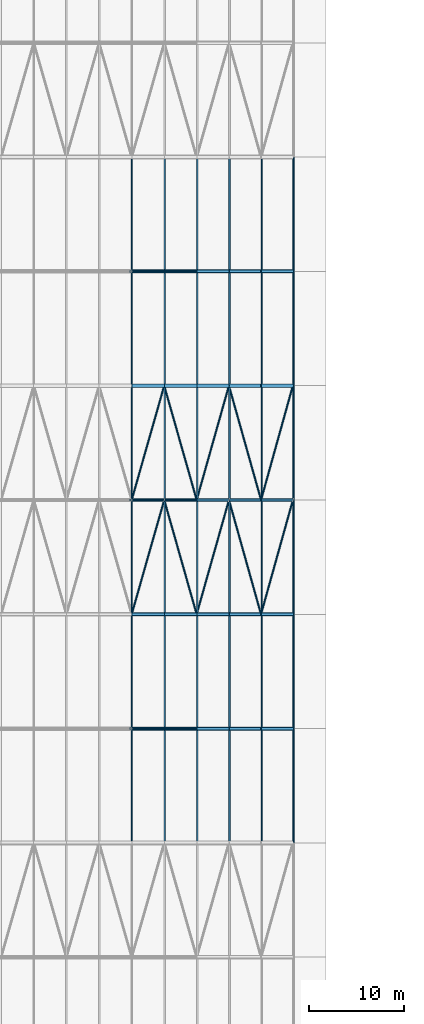
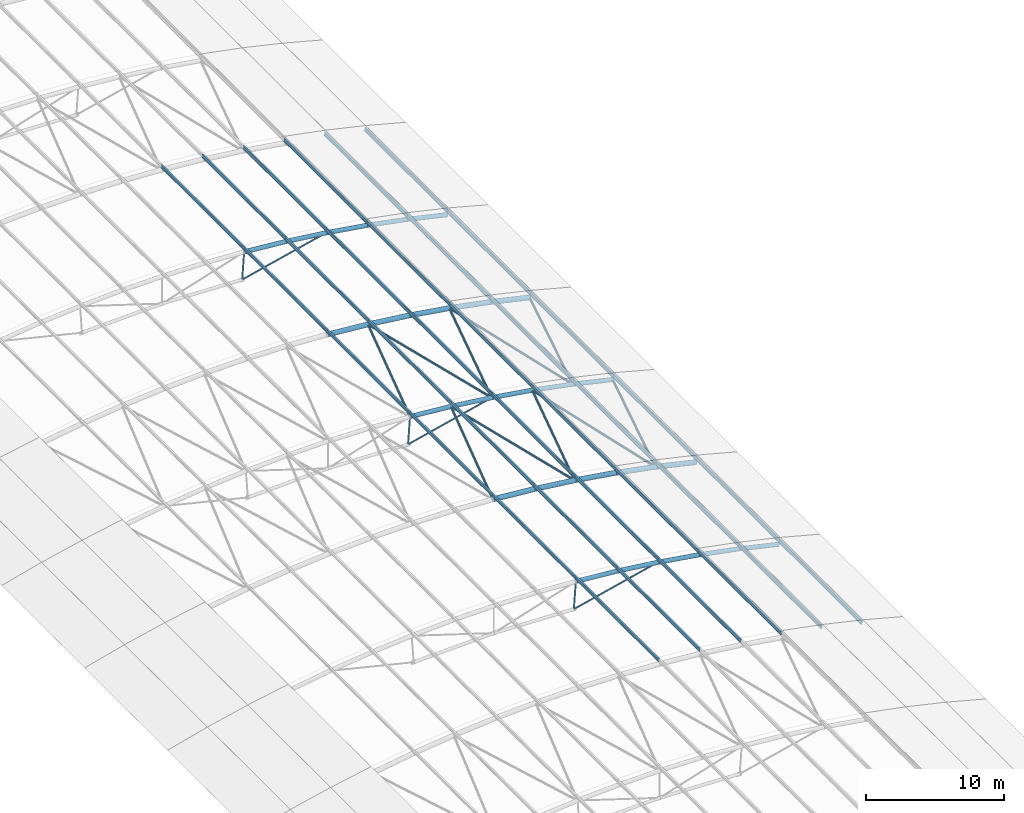
# One storey, part 16 of 91: 77 members.
"""IFC4 building model written with IfcOpenShell, lengths in metres."""

from ifc_helpers import new_model, si_unit, direction, frame, origin, origin_2d, place, context, subcontext, project, spatial, hollow_circle, i_section, extrude, material, material_profile, profile_set, type_object, element, save


model = new_model("IFC4")

# Units and contexts
model_context = context("Model", 3, precision=1e-05, world=origin(), true_north=direction((0.0, 1.0)))
body_context = subcontext(model_context, "Body", "Model", "MODEL_VIEW")
ifc_project = project(units=[si_unit("LENGTHUNIT", "METRE"), si_unit("AREAUNIT", "SQUARE_METRE"), si_unit("VOLUMEUNIT", "CUBIC_METRE"), si_unit("PLANEANGLEUNIT", "RADIAN"), si_unit("MASSUNIT", "GRAM", prefix="KILO")], contexts=[model_context])

# Site, building, storey
site_placement = place(None, origin())
site = spatial("IfcSite", under=ifc_project, at=site_placement, CompositionType="ELEMENT")
building_placement = place(site_placement, origin())
building = spatial("IfcBuilding", under=site, at=building_placement, Name="Ravi Spectrum Wholesale Market", CompositionType="ELEMENT")
storey_placement = place(building_placement, frame((0.0, 0.0, 16.199951171875)))
storey = spatial("IfcBuildingStorey", under=building, at=storey_placement, Name="ROOF PLANT LEVEL", CompositionType="ELEMENT", Elevation=16.199951171875)

# Members
ifc_material_1 = material(Name="Steel S355", Category="steel")
ifc_material_profile_1 = material_profile(ifc_material_1, hollow_circle(Radius=0.06982421875, WallThickness=0.0048828125, at=origin_2d()))
ifc_profile_set_1 = profile_set([ifc_material_profile_1], Name="Steel S355")
member_type_1 = type_object("IfcMemberType", Name="CHS 139.7x5 brace", PredefinedType="BRACE", material=ifc_profile_set_1)
for number, where, z_axis, x_axis, name in (
    (1, (83.681884765625, 90.0, 2.079833984375), (-0.97214359809, 0.0, -0.234386059083), (0.0, -1.0, 0.0), "H1-MB-L02-477"),
    (2, (83.681884765625, 114.0, 2.079833984375), (-0.97214359809, 0.0, -0.234386059083), (0.0, -1.0, 0.0), "H1-MB-L02-639"),
    (3, (83.681884765625, 138.0, 2.079833984375), (-0.97214359809, 0.0, -0.234386059083), (0.0, -1.0, 0.0), "H1-MB-L02-801"),
):
    element("IfcMember", number, at=place(storey_placement, frame(where, z_axis=z_axis, x_axis=x_axis)), inside=storey, type_object=member_type_1, Name=name, PredefinedType="BRACE", context=body_context, shape_type="SweptSolid", body=[
        extrude(hollow_circle(Radius=0.06982421875, WallThickness=0.0048828125, at=origin_2d()), origin(), (0.0, 0.0, 1.0), 7.190185546875),
    ])
ifc_material_2 = material(Name="Steel S355", Category="steel")
ifc_material_profile_2 = material_profile(ifc_material_2, hollow_circle(Radius=0.06982421875, WallThickness=0.0048828125, at=origin_2d()))
ifc_profile_set_2 = profile_set([ifc_material_profile_2], Name="Steel S355")
member_type_2 = type_object("IfcMemberType", Name="CHS 139.7x5 post", PredefinedType="POST", material=ifc_profile_set_2)
for number, where, z_axis, x_axis, name in (
    (4, (76.857177734375, 90.0, 2.788818359375), (-0.068868423963, 0.0, -0.997625751563), (0.0, -1.0, 0.0), "H1-MB-L02-466"),
    (5, (76.857177734375, 114.0, 2.788818359375), (-0.068868423963, 0.0, -0.997625751563), (0.0, -1.0, 0.0), "H1-MB-L02-628"),
    (6, (76.857177734375, 138.0, 2.788818359375), (-0.068868423963, 0.0, -0.997625751563), (0.0, -1.0, 0.0), "H1-MB-L02-790"),
):
    element("IfcMember", number, at=place(storey_placement, frame(where, z_axis=z_axis, x_axis=x_axis)), inside=storey, type_object=member_type_2, Name=name, PredefinedType="POST", context=body_context, shape_type="SweptSolid", body=[
        extrude(hollow_circle(Radius=0.06982421875, WallThickness=0.0048828125, at=origin_2d()), origin(), (0.0, 0.0, 1.0), 2.39990234375),
    ])
ifc_material_3 = material(Name="Steel S355", Category="steel")
ifc_material_profile_3 = material_profile(ifc_material_3, hollow_circle(Radius=0.096923828125, WallThickness=0.00634765625, at=origin_2d()))
ifc_profile_set_3 = profile_set([ifc_material_profile_3], Name="Steel S355")
member_type_3 = type_object("IfcMemberType", Name="CHS 193.7x6.3 brace", PredefinedType="BRACE", material=ifc_profile_set_3)
member_1_placement = place(storey_placement, frame((76.85546875, 102.0, 2.763427734375), z_axis=(0.274034013599, 0.9614761822, -0.021654340285), x_axis=(-0.961701684624, 0.27409828491, 0.0)))
element("IfcMember", 7, at=member_1_placement, inside=storey, type_object=member_type_3, Name="H1-MB-L02-1646", PredefinedType="BRACE", context=body_context, shape_type="SweptSolid", body=[
    extrude(hollow_circle(Radius=0.096923828125, WallThickness=0.00634765625, at=origin_2d()), origin(), (0.0, 0.0, 1.0), 12.480712890625),
])
member_2_placement = place(storey_placement, frame((80.275634765625, 114.0, 2.4931640625), z_axis=(0.272644331553, -0.961473251867, -0.035131957201), x_axis=(0.962067152996, 0.272812743702, 0.0)))
element("IfcMember", 8, at=member_2_placement, inside=storey, type_object=member_type_3, Name="H1-MB-L02-1647", PredefinedType="BRACE", context=body_context, shape_type="SweptSolid", body=[
    extrude(hollow_circle(Radius=0.096923828125, WallThickness=0.00634765625, at=origin_2d()), origin(), (0.0, 0.0, 1.0), 12.48095703125),
])
member_3_placement = place(storey_placement, frame((83.678466796875, 102.0, 2.0546875), z_axis=(0.271882814956, 0.961478100635, -0.040491936611), x_axis=(-0.962267289503, 0.272105978532, 0.0)))
element("IfcMember", 9, at=member_3_placement, inside=storey, type_object=member_type_3, Name="H1-MB-L02-1648", PredefinedType="BRACE", context=body_context, shape_type="SweptSolid", body=[
    extrude(hollow_circle(Radius=0.096923828125, WallThickness=0.00634765625, at=origin_2d()), origin(), (0.0, 0.0, 1.0), 12.480712890625),
])
for number, where, z_axis, x_axis, name in (
    (10, (87.07177734375, 114.0, 1.54931640625), (0.269573425524, -0.961473986747, -0.053832527904), (0.962870169495, 0.269964880489, 0.0), "H1-MB-L02-1649"),
    (11, (90.436279296875, 102.0, 0.87744140625), (0.268458266113, 0.961473382103, -0.059153147532), (-0.963159952785, 0.26892918278, 0.0), "H1-MB-L02-1650"),
    (12, (76.857177734375, 114.0, 2.788818359375), (0.273700155863, 0.961471559533, -0.025703402287), (-0.961789322244, 0.273790612729, 0.0), "H1-MB-L02-1670"),
):
    element("IfcMember", number, at=place(storey_placement, frame(where, z_axis=z_axis, x_axis=x_axis)), inside=storey, type_object=member_type_3, Name=name, PredefinedType="BRACE", context=body_context, shape_type="SweptSolid", body=[
        extrude(hollow_circle(Radius=0.096923828125, WallThickness=0.00634765625, at=origin_2d()), origin(), (0.0, 0.0, 1.0), 12.48095703125),
    ])
for number, where, z_axis, x_axis, name in (
    (13, (80.273193359375, 126.0, 2.468017578125), (0.273115259603, -0.961478387049, -0.0311025113), (0.961943775579, 0.273247456759, 0.0), "H1-MB-L02-1671"),
    (14, (83.681884765625, 114.0, 2.079833984375), (0.271256737802, 0.961477693548, -0.044501988786), (-0.962431178207, 0.271525739506, 0.0), "H1-MB-L02-1672"),
    (15, (87.0673828125, 126.0, 1.5244140625), (0.270336560063, -0.961474862535, -0.049842080683), (0.962671356068, 0.270672976499, 0.0), "H1-MB-L02-1673"),
):
    element("IfcMember", number, at=place(storey_placement, frame(where, z_axis=z_axis, x_axis=x_axis)), inside=storey, type_object=member_type_3, Name=name, PredefinedType="BRACE", context=body_context, shape_type="SweptSolid", body=[
        extrude(hollow_circle(Radius=0.096923828125, WallThickness=0.00634765625, at=origin_2d()), origin(), (0.0, 0.0, 1.0), 12.480712890625),
    ])
member_4_placement = place(storey_placement, frame((90.44140625, 114.0, 0.90234375), z_axis=(0.267558016602, 0.961471825707, -0.063123974234), x_axis=(-0.963393127067, 0.268092675619, 0.0)))
element("IfcMember", 16, at=member_4_placement, inside=storey, type_object=member_type_3, Name="H1-MB-L02-1674", PredefinedType="BRACE", context=body_context, shape_type="SweptSolid", body=[
    extrude(hollow_circle(Radius=0.096923828125, WallThickness=0.00634765625, at=origin_2d()), origin(), (0.0, 0.0, 1.0), 12.48095703125),
])
ifc_material_4 = material(Name="Steel S355", Category="steel")
ifc_material_profile_4 = material_profile(ifc_material_4, hollow_circle(Radius=0.177734375, WallThickness=0.012451171875, at=origin_2d()))
ifc_profile_set_4 = profile_set([ifc_material_profile_4], Name="Steel S355")
member_type_4 = type_object("IfcMemberType", Name="CHS 355.6x12.5 chord", PredefinedType="CHORD", material=ifc_profile_set_4)
for number, where, z_axis, x_axis, name in (
    (17, (76.857177734375, 90.0, 2.788818359375), (0.996280795756, 0.0, -0.086165979407), (0.0, 1.0, 0.0), "H1-MB-L02-438"),
    (18, (80.275634765625, 90.0, 2.4931640625), (0.992718062095, 0.0, -0.120460986176), (0.0, 1.0, 0.0), "H1-MB-L02-439"),
    (19, (83.681884765625, 90.0, 2.079833984375), (0.987974358509, 0.0, -0.154617809221), (0.0, 1.0, 0.0), "H1-MB-L02-440"),
    (20, (87.07177734375, 90.0, 1.54931640625), (0.982062230733, 0.0, -0.188557086759), (0.0, 1.0, 0.0), "H1-MB-L02-441"),
):
    element("IfcMember", number, at=place(storey_placement, frame(where, z_axis=z_axis, x_axis=x_axis)), inside=storey, type_object=member_type_4, Name=name, PredefinedType="CHORD", context=body_context, shape_type="SweptSolid", body=[
        extrude(hollow_circle(Radius=0.177734375, WallThickness=0.012451171875, at=origin_2d()), origin(), (0.0, 0.0, 1.0), 3.43115234375),
    ])
member_5_placement = place(storey_placement, frame((90.44140625, 90.0, 0.90234375), z_axis=(0.974952916083, 0.0, -0.222411356322), x_axis=(0.0, 1.0, 0.0)))
element("IfcMember", 21, at=member_5_placement, inside=storey, type_object=member_type_4, Name="H1-MB-L02-442", PredefinedType="CHORD", context=body_context, shape_type="SweptSolid", body=[
    extrude(hollow_circle(Radius=0.177734375, WallThickness=0.012451171875, at=origin_2d()), origin(), (0.0, 0.0, 1.0), 3.431396484375),
])
for number, where, z_axis, x_axis, name in (
    (22, (76.857177734375, 114.0, 2.788818359375), (0.996280795756, 0.0, -0.086165979407), (0.0, 1.0, 0.0), "H1-MB-L02-600"),
    (23, (80.275634765625, 114.0, 2.4931640625), (0.992718062095, 0.0, -0.120460986176), (0.0, 1.0, 0.0), "H1-MB-L02-601"),
    (24, (83.681884765625, 114.0, 2.079833984375), (0.987974358509, 0.0, -0.154617809221), (0.0, 1.0, 0.0), "H1-MB-L02-602"),
    (25, (87.07177734375, 114.0, 1.54931640625), (0.982062230733, 0.0, -0.188557086759), (0.0, 1.0, 0.0), "H1-MB-L02-603"),
):
    element("IfcMember", number, at=place(storey_placement, frame(where, z_axis=z_axis, x_axis=x_axis)), inside=storey, type_object=member_type_4, Name=name, PredefinedType="CHORD", context=body_context, shape_type="SweptSolid", body=[
        extrude(hollow_circle(Radius=0.177734375, WallThickness=0.012451171875, at=origin_2d()), origin(), (0.0, 0.0, 1.0), 3.43115234375),
    ])
member_6_placement = place(storey_placement, frame((90.44140625, 114.0, 0.90234375), z_axis=(0.974952916083, 0.0, -0.222411356322), x_axis=(0.0, 1.0, 0.0)))
element("IfcMember", 26, at=member_6_placement, inside=storey, type_object=member_type_4, Name="H1-MB-L02-604", PredefinedType="CHORD", context=body_context, shape_type="SweptSolid", body=[
    extrude(hollow_circle(Radius=0.177734375, WallThickness=0.012451171875, at=origin_2d()), origin(), (0.0, 0.0, 1.0), 3.431396484375),
])
for number, where, z_axis, x_axis, name in (
    (27, (76.857177734375, 138.0, 2.788818359375), (0.996280795756, 0.0, -0.086165979407), (0.0, 1.0, 0.0), "H1-MB-L02-762"),
    (28, (80.275634765625, 138.0, 2.4931640625), (0.992718062095, 0.0, -0.120460986176), (0.0, 1.0, 0.0), "H1-MB-L02-763"),
    (29, (83.681884765625, 138.0, 2.079833984375), (0.987974358509, 0.0, -0.154617809221), (0.0, 1.0, 0.0), "H1-MB-L02-764"),
    (30, (87.07177734375, 138.0, 1.54931640625), (0.982062230733, 0.0, -0.188557086759), (0.0, 1.0, 0.0), "H1-MB-L02-765"),
):
    element("IfcMember", number, at=place(storey_placement, frame(where, z_axis=z_axis, x_axis=x_axis)), inside=storey, type_object=member_type_4, Name=name, PredefinedType="CHORD", context=body_context, shape_type="SweptSolid", body=[
        extrude(hollow_circle(Radius=0.177734375, WallThickness=0.012451171875, at=origin_2d()), origin(), (0.0, 0.0, 1.0), 3.43115234375),
    ])
member_7_placement = place(storey_placement, frame((90.44140625, 138.0, 0.90234375), z_axis=(0.974952916083, 0.0, -0.222411356322), x_axis=(0.0, 1.0, 0.0)))
element("IfcMember", 31, at=member_7_placement, inside=storey, type_object=member_type_4, Name="H1-MB-L02-766", PredefinedType="CHORD", context=body_context, shape_type="SweptSolid", body=[
    extrude(hollow_circle(Radius=0.177734375, WallThickness=0.012451171875, at=origin_2d()), origin(), (0.0, 0.0, 1.0), 3.431396484375),
])
ifc_material_5 = material(Name="Steel S355", Category="steel")
ifc_material_profile_5 = material_profile(ifc_material_5, hollow_circle(Radius=0.203125, WallThickness=0.01611328125, at=origin_2d()))
ifc_profile_set_5 = profile_set([ifc_material_profile_5], Name="Steel S355")
member_type_5 = type_object("IfcMemberType", Name="CHS 406.4x16 chord", PredefinedType="CHORD", material=ifc_profile_set_5)
member_8_placement = place(storey_placement, frame((76.85546875, 102.0, 2.763427734375), z_axis=(0.99628531868, 0.0, -0.086113667805), x_axis=(0.0, 1.0, 0.0)))
element("IfcMember", 32, at=member_8_placement, inside=storey, type_object=member_type_5, Name="H1-MB-L02-501", PredefinedType="CHORD", context=body_context, shape_type="SweptSolid", body=[
    extrude(hollow_circle(Radius=0.203125, WallThickness=0.01611328125, at=origin_2d()), origin(), (0.0, 0.0, 1.0), 3.430419921875),
])
for number, where, z_axis, x_axis, name in (
    (33, (80.273193359375, 102.0, 2.468017578125), (0.992713930418, 0.0, -0.120495030413), (0.0, 1.0, 0.0), "H1-MB-L02-502"),
    (34, (83.678466796875, 102.0, 2.0546875), (0.987978424514, 0.0, -0.154591826096), (0.0, 1.0, 0.0), "H1-MB-L02-503"),
):
    element("IfcMember", number, at=place(storey_placement, frame(where, z_axis=z_axis, x_axis=x_axis)), inside=storey, type_object=member_type_5, Name=name, PredefinedType="CHORD", context=body_context, shape_type="SweptSolid", body=[
        extrude(hollow_circle(Radius=0.203125, WallThickness=0.01611328125, at=origin_2d()), origin(), (0.0, 0.0, 1.0), 3.43017578125),
    ])
for number, where, z_axis, x_axis, name in (
    (35, (87.0673828125, 102.0, 1.5244140625), (0.982054639007, 0.0, -0.188596622463), (0.0, 1.0, 0.0), "H1-MB-L02-504"),
    (36, (90.436279296875, 102.0, 0.87744140625), (0.974954266394, 0.0, -0.222405437074), (0.0, 1.0, 0.0), "H1-MB-L02-505"),
    (37, (76.85546875, 126.0, 2.763427734375), (0.99628531868, 0.0, -0.086113667805), (0.0, 1.0, 0.0), "H1-MB-L02-663"),
):
    element("IfcMember", number, at=place(storey_placement, frame(where, z_axis=z_axis, x_axis=x_axis)), inside=storey, type_object=member_type_5, Name=name, PredefinedType="CHORD", context=body_context, shape_type="SweptSolid", body=[
        extrude(hollow_circle(Radius=0.203125, WallThickness=0.01611328125, at=origin_2d()), origin(), (0.0, 0.0, 1.0), 3.430419921875),
    ])
for number, where, z_axis, x_axis, name in (
    (38, (80.273193359375, 126.0, 2.468017578125), (0.992713930418, 0.0, -0.120495030413), (0.0, 1.0, 0.0), "H1-MB-L02-664"),
    (39, (83.678466796875, 126.0, 2.0546875), (0.987978424514, 0.0, -0.154591826096), (0.0, 1.0, 0.0), "H1-MB-L02-665"),
):
    element("IfcMember", number, at=place(storey_placement, frame(where, z_axis=z_axis, x_axis=x_axis)), inside=storey, type_object=member_type_5, Name=name, PredefinedType="CHORD", context=body_context, shape_type="SweptSolid", body=[
        extrude(hollow_circle(Radius=0.203125, WallThickness=0.01611328125, at=origin_2d()), origin(), (0.0, 0.0, 1.0), 3.43017578125),
    ])
for number, where, z_axis, x_axis, name in (
    (40, (87.0673828125, 126.0, 1.5244140625), (0.982054639007, 0.0, -0.188596622463), (0.0, 1.0, 0.0), "H1-MB-L02-666"),
    (41, (90.436279296875, 126.0, 0.87744140625), (0.974954266394, 0.0, -0.222405437074), (0.0, 1.0, 0.0), "H1-MB-L02-667"),
):
    element("IfcMember", number, at=place(storey_placement, frame(where, z_axis=z_axis, x_axis=x_axis)), inside=storey, type_object=member_type_5, Name=name, PredefinedType="CHORD", context=body_context, shape_type="SweptSolid", body=[
        extrude(hollow_circle(Radius=0.203125, WallThickness=0.01611328125, at=origin_2d()), origin(), (0.0, 0.0, 1.0), 3.430419921875),
    ])
ifc_material_6 = material(Name="Steel S355", Category="steel")
ifc_material_profile_6 = material_profile(ifc_material_6, i_section(OverallWidth=0.135009765625, OverallDepth=0.27001953125, WebThickness=0.006591796875, FlangeThickness=0.01025390625, at=origin_2d()))
ifc_profile_set_6 = profile_set([ifc_material_profile_6], Name="Steel S355")
member_type_6 = type_object("IfcMemberType", Name="IPE 270 purlin", PredefinedType="PURLIN", material=ifc_profile_set_6)
for number, where, z_axis, x_axis, name in (
    (42, (76.87890625, 78.0, 3.100830078125), (0.0, 1.0, 0.0), (-0.997620623348, 0.0, 0.068942670899), "H1-MB-L02-1348"),
    (43, (80.30810546875, 78.0, 2.804443359375), (0.0, 1.0, 0.0), (-0.994649057067, 0.0, 0.103311438261), "H1-MB-L02-1349"),
    (44, (83.724853515625, 78.0, 2.3896484375), (0.0, 1.0, 0.0), (-0.99049381866, 0.0, 0.137557243347), "H1-MB-L02-1350"),
    (45, (87.12548828125, 78.0, 1.857666015625), (0.0, 1.0, 0.0), (-0.985159848831, 0.0, 0.171639366844), "H1-MB-L02-1351"),
    (46, (90.505859375, 78.0, 1.208251953125), (0.0, 1.0, 0.0), (-0.978653497036, 0.0, 0.205517232221), "H1-MB-L02-1352"),
    (47, (93.861572265625, 78.0, 0.44287109375), (0.0, 1.0, 0.0), (-0.970982506107, 0.0, 0.239150523382), "H1-MB-L02-1353"),
    (48, (76.87890625, 90.0, 3.100830078125), (0.0, 1.0, 0.0), (-0.997620623348, 0.0, 0.068942670899), "H1-MB-L02-1373"),
    (49, (80.30810546875, 90.0, 2.804443359375), (0.0, 1.0, 0.0), (-0.994649057067, 0.0, 0.103311438261), "H1-MB-L02-1374"),
    (50, (83.724853515625, 90.0, 2.3896484375), (0.0, 1.0, 0.0), (-0.99049381866, 0.0, 0.137557243347), "H1-MB-L02-1375"),
    (51, (87.12548828125, 90.0, 1.857666015625), (0.0, 1.0, 0.0), (-0.985159848831, 0.0, 0.171639366844), "H1-MB-L02-1376"),
    (52, (90.505859375, 90.0, 1.208251953125), (0.0, 1.0, 0.0), (-0.978653497036, 0.0, 0.205517232221), "H1-MB-L02-1377"),
    (53, (93.861572265625, 90.0, 0.44287109375), (0.0, 1.0, 0.0), (-0.970982506107, 0.0, 0.239150523382), "H1-MB-L02-1378"),
    (54, (76.87890625, 102.0, 3.100830078125), (0.0, 1.0, 0.0), (-0.997620623348, 0.0, 0.068942670899), "H1-MB-L02-1398"),
    (55, (80.30810546875, 102.0, 2.804443359375), (0.0, 1.0, 0.0), (-0.994649057067, 0.0, 0.103311438261), "H1-MB-L02-1399"),
    (56, (83.724853515625, 102.0, 2.3896484375), (0.0, 1.0, 0.0), (-0.99049381866, 0.0, 0.137557243347), "H1-MB-L02-1400"),
    (57, (87.12548828125, 102.0, 1.857666015625), (0.0, 1.0, 0.0), (-0.985159848831, 0.0, 0.171639366844), "H1-MB-L02-1401"),
    (58, (90.505859375, 102.0, 1.208251953125), (0.0, 1.0, 0.0), (-0.978653497036, 0.0, 0.205517232221), "H1-MB-L02-1402"),
    (59, (93.861572265625, 102.0, 0.44287109375), (0.0, 1.0, 0.0), (-0.970982506107, 0.0, 0.239150523382), "H1-MB-L02-1403"),
    (60, (76.87890625, 114.0, 3.100830078125), (0.0, 1.0, 0.0), (-0.997620623348, 0.0, 0.068942670899), "H1-MB-L02-1423"),
    (61, (80.30810546875, 114.0, 2.804443359375), (0.0, 1.0, 0.0), (-0.994649057067, 0.0, 0.103311438261), "H1-MB-L02-1424"),
    (62, (83.724853515625, 114.0, 2.3896484375), (0.0, 1.0, 0.0), (-0.99049381866, 0.0, 0.137557243347), "H1-MB-L02-1425"),
    (63, (87.12548828125, 114.0, 1.857666015625), (0.0, 1.0, 0.0), (-0.985159848831, 0.0, 0.171639366844), "H1-MB-L02-1426"),
    (64, (90.505859375, 114.0, 1.208251953125), (0.0, 1.0, 0.0), (-0.978653497036, 0.0, 0.205517232221), "H1-MB-L02-1427"),
    (65, (93.861572265625, 114.0, 0.44287109375), (0.0, 1.0, 0.0), (-0.970982506107, 0.0, 0.239150523382), "H1-MB-L02-1428"),
    (66, (76.87890625, 126.0, 3.100830078125), (0.0, 1.0, 0.0), (-0.997620623348, 0.0, 0.068942670899), "H1-MB-L02-1448"),
    (67, (80.30810546875, 126.0, 2.804443359375), (0.0, 1.0, 0.0), (-0.994649057067, 0.0, 0.103311438261), "H1-MB-L02-1449"),
    (68, (83.724853515625, 126.0, 2.3896484375), (0.0, 1.0, 0.0), (-0.99049381866, 0.0, 0.137557243347), "H1-MB-L02-1450"),
    (69, (87.12548828125, 126.0, 1.857666015625), (0.0, 1.0, 0.0), (-0.985159848831, 0.0, 0.171639366844), "H1-MB-L02-1451"),
    (70, (90.505859375, 126.0, 1.208251953125), (0.0, 1.0, 0.0), (-0.978653497036, 0.0, 0.205517232221), "H1-MB-L02-1452"),
    (71, (93.861572265625, 126.0, 0.44287109375), (0.0, 1.0, 0.0), (-0.970982506107, 0.0, 0.239150523382), "H1-MB-L02-1453"),
    (72, (76.87890625, 138.0, 3.100830078125), (0.0, 1.0, 0.0), (-0.997620623348, 0.0, 0.068942670899), "H1-MB-L02-1473"),
    (73, (80.30810546875, 138.0, 2.804443359375), (0.0, 1.0, 0.0), (-0.994649057067, 0.0, 0.103311438261), "H1-MB-L02-1474"),
    (74, (83.724853515625, 138.0, 2.3896484375), (0.0, 1.0, 0.0), (-0.99049381866, 0.0, 0.137557243347), "H1-MB-L02-1475"),
    (75, (87.12548828125, 138.0, 1.857666015625), (0.0, 1.0, 0.0), (-0.985159848831, 0.0, 0.171639366844), "H1-MB-L02-1476"),
    (76, (90.505859375, 138.0, 1.208251953125), (0.0, 1.0, 0.0), (-0.978653497036, 0.0, 0.205517232221), "H1-MB-L02-1477"),
    (77, (93.861572265625, 138.0, 0.44287109375), (0.0, 1.0, 0.0), (-0.970982506107, 0.0, 0.239150523382), "H1-MB-L02-1478"),
):
    element("IfcMember", number, at=place(storey_placement, frame(where, z_axis=z_axis, x_axis=x_axis)), inside=storey, type_object=member_type_6, Name=name, PredefinedType="PURLIN", context=body_context, shape_type="SweptSolid", body=[
        extrude(i_section(OverallWidth=0.135009765625, OverallDepth=0.27001953125, WebThickness=0.006591796875, FlangeThickness=0.01025390625, at=origin_2d()), origin(), (0.0, 0.0, 1.0), 12.0),
    ])

save(model, "model.ifc")
